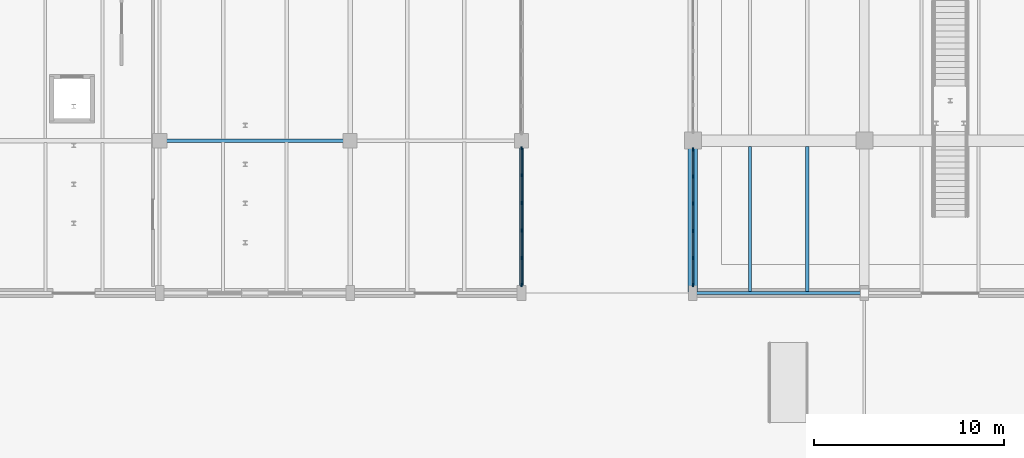
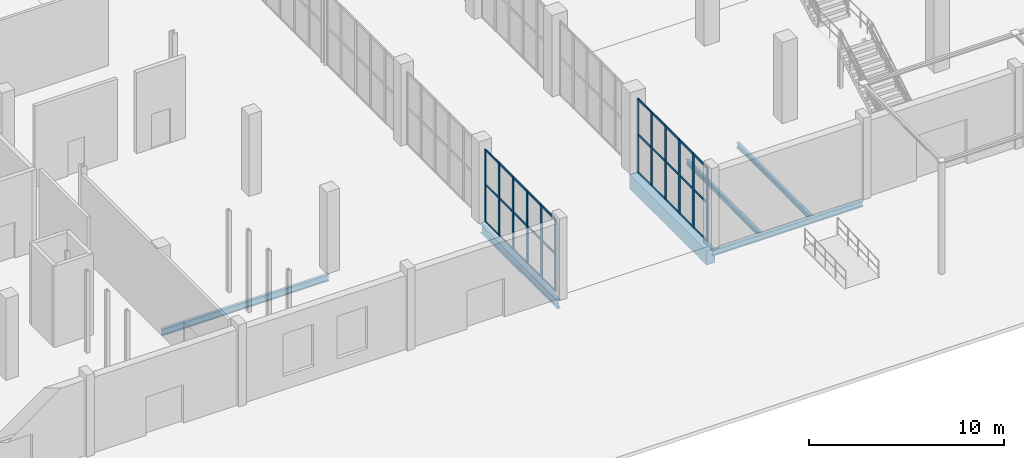
# One storey, part 30 of 103: 42 members, 6 beams, 2 elements without a shape of their own.
"""IFC4 building model written with IfcOpenShell, lengths in metres."""

from ifc_helpers import new_model, si_unit, direction, frame, origin, origin_2d, place, context, subcontext, project, spatial, rectangle, i_section, extrude, material, layer, layer_set, material_profile, profile_set, type_object, element, aggregate, save


model = new_model("IFC4")

# Units and contexts
model_context = context("Model", 3, precision=1e-05, world=origin(), true_north=direction((0.0, 1.0)))
body_context = subcontext(model_context, "Body", "Model", "MODEL_VIEW")
ifc_project = project(units=[si_unit("LENGTHUNIT", "METRE"), si_unit("AREAUNIT", "SQUARE_METRE"), si_unit("VOLUMEUNIT", "CUBIC_METRE"), si_unit("PLANEANGLEUNIT", "RADIAN"), si_unit("MASSUNIT", "GRAM", prefix="KILO")], contexts=[model_context])

# Site, building, storey
site_placement = place(None, origin())
site = spatial("IfcSite", under=ifc_project, at=site_placement, CompositionType="ELEMENT")
building_placement = place(site_placement, origin())
building = spatial("IfcBuilding", under=site, at=building_placement, Name="Marnock Terrace Opera House", CompositionType="ELEMENT")
storey_placement = place(building_placement, origin())
storey = spatial("IfcBuildingStorey", under=building, at=storey_placement, Name="L00", CompositionType="ELEMENT", Elevation=0.0)

# Beams
ifc_material_1 = material(Name="Concrete N40 (f'c = 40 MPa)", Category="concrete")
ifc_material_profile_1 = material_profile(ifc_material_1, rectangle(XDim=0.5, YDim=0.89990234375, at=origin_2d()))
ifc_profile_set_1 = profile_set([ifc_material_profile_1], Name="Concrete N40 (f'c = 40 MPa)")
beam_type_1 = type_object("IfcBeamType", Name="BM-B1-RC500", PredefinedType="BEAM", material=ifc_profile_set_1)
beam_1_placement = place(storey_placement, frame((55.0, 8.050048828125, -0.75), z_axis=(0.0, 1.0, 0.0), x_axis=(-1.0, 0.0, 0.0)))
element("IfcBeam", 1, at=beam_1_placement, inside=storey, type_object=beam_type_1, Name="L00 girder (X=55.0, 8.0..16.0)", PredefinedType="BEAM", context=body_context, shape_type="SweptSolid", body=[
    extrude(rectangle(XDim=0.5, YDim=0.89990234375, at=origin_2d()), origin(), (0.0, 0.0, 1.0), 7.89990234375),
])
ifc_material_2 = material(Name="Steel Grade 350 (AS/NZS 3679.1)", Category="steel")
ifc_material_profile_2 = material_profile(ifc_material_2, i_section(OverallWidth=0.177978515625, OverallDepth=0.402587890625, WebThickness=0.007568359375, FlangeThickness=0.010986328125, FilletRadius=0.011474609375, at=origin_2d()))
ifc_profile_set_2 = profile_set([ifc_material_profile_2], Name="Steel Grade 350 (AS/NZS 3679.1)")
beam_type_2 = type_object("IfcBeamType", Name="BM-GIRD-410", PredefinedType="BEAM", material=ifc_profile_set_2)
beam_2_placement = place(storey_placement, frame((27.050048828125, 16.0, -0.501220703125), z_axis=(1.0, 0.0, 0.0), x_axis=(0.0, 1.0, 0.0)))
element("IfcBeam", 2, at=beam_2_placement, inside=storey, type_object=beam_type_2, Name="L00 girder (27.0..37.0, Y=16.0)", PredefinedType="BEAM", context=body_context, shape_type="SweptSolid", body=[
    extrude(i_section(OverallWidth=0.177978515625, OverallDepth=0.402587890625, WebThickness=0.007568359375, FlangeThickness=0.010986328125, FilletRadius=0.011474609375, at=origin_2d()), origin(), (0.0, 0.0, 1.0), 9.89990234375),
])
ifc_material_profile_3 = material_profile(ifc_material_2, i_section(OverallWidth=0.208984375, OverallDepth=0.528076171875, WebThickness=0.009521484375, FlangeThickness=0.01318359375, FilletRadius=0.013916015625, at=origin_2d()))
ifc_profile_set_3 = profile_set([ifc_material_profile_3], Name="Steel Grade 350 (AS/NZS 3679.1)")
beam_type_3 = type_object("IfcBeamType", Name="BM-GIRD-530B", PredefinedType="BEAM", material=ifc_profile_set_3)
beam_3_placement = place(storey_placement, frame((46.0, 8.050048828125, -0.56396484375), z_axis=(0.0, 1.0, 0.0), x_axis=(-1.0, 0.0, 0.0)))
element("IfcBeam", 3, at=beam_3_placement, inside=storey, type_object=beam_type_3, Name="L00 girder (X=46.0, 8.0..16.0)", PredefinedType="BEAM", context=body_context, shape_type="SweptSolid", body=[
    extrude(i_section(OverallWidth=0.208984375, OverallDepth=0.528076171875, WebThickness=0.009521484375, FlangeThickness=0.01318359375, FilletRadius=0.013916015625, at=origin_2d()), origin(), (0.0, 0.0, 1.0), 7.89990234375),
])
ifc_material_profile_4 = material_profile(ifc_material_2, i_section(OverallWidth=0.166015625, OverallDepth=0.30712890625, WebThickness=0.006591796875, FlangeThickness=0.01171875, FilletRadius=0.011474609375, at=origin_2d()))
ifc_profile_set_4 = profile_set([ifc_material_profile_4], Name="Steel Grade 350 (AS/NZS 3679.1)")
beam_type_4 = type_object("IfcBeamType", Name="BM-JOIST-310A", PredefinedType="JOIST", material=ifc_profile_set_4)
for number, where, z_axis, x_axis, name in (
    (4, (58.0, 8.0810546875, -0.45361328125), (0.0, 1.0, 0.0), (-1.0, 0.0, 0.0), "L00 secondary joist 6.1.1"),
    (5, (61.0, 8.0810546875, -0.45361328125), (0.0, 1.0, 0.0), (-1.0, 0.0, 0.0), "L00 secondary joist 6.1.2"),
):
    element("IfcBeam", number, at=place(storey_placement, frame(where, z_axis=z_axis, x_axis=x_axis)), inside=storey, type_object=beam_type_4, Name=name, PredefinedType="JOIST", context=body_context, shape_type="SweptSolid", body=[
        extrude(i_section(OverallWidth=0.166015625, OverallDepth=0.30712890625, WebThickness=0.006591796875, FlangeThickness=0.01171875, FilletRadius=0.011474609375, at=origin_2d()), origin(), (0.0, 0.0, 1.0), 7.6240234375),
    ])
ifc_material_profile_5 = material_profile(ifc_material_2, i_section(OverallWidth=0.172119140625, OverallDepth=0.358642578125, WebThickness=0.008056640625, FlangeThickness=0.012939453125, FilletRadius=0.011474609375, at=origin_2d()))
ifc_profile_set_5 = profile_set([ifc_material_profile_5], Name="Steel Grade 350 (AS/NZS 3679.1)")
beam_type_5 = type_object("IfcBeamType", Name="BM-SPAN-360", PredefinedType="SPANDREL", material=ifc_profile_set_5)
beam_4_placement = place(storey_placement, frame((55.050048828125, 8.0, -0.479248046875), z_axis=(1.0, 0.0, 0.0), x_axis=(0.0, 1.0, 0.0)))
element("IfcBeam", 6, at=beam_4_placement, inside=storey, type_object=beam_type_5, Name="L00 girder (55.0..64.0, Y=8.0)", PredefinedType="SPANDREL", context=body_context, shape_type="SweptSolid", body=[
    extrude(i_section(OverallWidth=0.172119140625, OverallDepth=0.358642578125, WebThickness=0.008056640625, FlangeThickness=0.012939453125, FilletRadius=0.011474609375, at=origin_2d()), origin(), (0.0, 0.0, 1.0), 8.89990234375),
])

# Curtain wall, members
ifc_material_3 = material(Name="Anodised architectural bronze aluminium framing", Category="aluminium")
ifc_layer_1 = layer(ifc_material_3, 0.159912109375)
ifc_layer_set_1 = layer_set([ifc_layer_1], Name="Anodised architectural bronze aluminium framing")
curtain_wall_type_1 = type_object("IfcCurtainWallType", Name="CW-FOYER-80x51", PredefinedType="NOTDEFINED", material=ifc_layer_set_1)
curtain_wall_1_placement = place(storey_placement, origin())
curtain_wall_1 = element("IfcCurtainWall", 7, at=curtain_wall_1_placement, inside=storey, type_object=curtain_wall_type_1, Name="L00 glazed Beaux-Arts colonnade curtain wall CW-V1W-L00-01", PredefinedType="NOTDEFINED")
ifc_material_profile_6 = material_profile(ifc_material_3, rectangle(XDim=0.06494140625, YDim=0.179931640625, at=origin_2d()))
ifc_profile_set_6 = profile_set([ifc_material_profile_6], Name="Anodised architectural bronze aluminium framing")
member_type_1 = type_object("IfcMemberType", Name="CWM-65x180", PredefinedType="MULLION", material=ifc_profile_set_6)
member_1_placement = place(storey_placement, frame((55.0, 8.426025390625, 0.0), z_axis=(0.0, 0.0, 1.0), x_axis=(-1.0, 0.0, 0.0)))
member_1 = element("IfcMember", 8, at=member_1_placement, type_object=member_type_1, Name="CW-73 mullion 1", PredefinedType="MULLION", context=body_context, shape_type="SweptSolid", body=[
    extrude(rectangle(XDim=0.06494140625, YDim=0.179931640625, at=origin_2d()), origin(), (0.0, 0.0, 1.0), 4.632568359375),
])
member_2_placement = place(storey_placement, frame((55.0, 9.82763671875, 0.0), z_axis=(0.0, 0.0, 1.0), x_axis=(-1.0, 0.0, 0.0)))
member_2 = element("IfcMember", 9, at=member_2_placement, type_object=member_type_1, Name="CW-73 mullion 2", PredefinedType="MULLION", context=body_context, shape_type="SweptSolid", body=[
    extrude(rectangle(XDim=0.06494140625, YDim=0.179931640625, at=origin_2d()), origin(), (0.0, 0.0, 1.0), 4.632568359375),
])
member_3_placement = place(storey_placement, frame((55.0, 11.25927734375, 0.0), z_axis=(0.0, 0.0, 1.0), x_axis=(-1.0, 0.0, 0.0)))
member_3 = element("IfcMember", 10, at=member_3_placement, type_object=member_type_1, Name="CW-73 mullion 3", PredefinedType="MULLION", context=body_context, shape_type="SweptSolid", body=[
    extrude(rectangle(XDim=0.06494140625, YDim=0.179931640625, at=origin_2d()), origin(), (0.0, 0.0, 1.0), 4.632568359375),
])
member_4_placement = place(storey_placement, frame((55.0, 12.69091796875, 0.0), z_axis=(0.0, 0.0, 1.0), x_axis=(-1.0, 0.0, 0.0)))
member_4 = element("IfcMember", 11, at=member_4_placement, type_object=member_type_1, Name="CW-73 mullion 4", PredefinedType="MULLION", context=body_context, shape_type="SweptSolid", body=[
    extrude(rectangle(XDim=0.06494140625, YDim=0.179931640625, at=origin_2d()), origin(), (0.0, 0.0, 1.0), 4.632568359375),
])
member_5_placement = place(storey_placement, frame((55.0, 14.122314453125, 0.0), z_axis=(0.0, 0.0, 1.0), x_axis=(-1.0, 0.0, 0.0)))
member_5 = element("IfcMember", 12, at=member_5_placement, type_object=member_type_1, Name="CW-73 mullion 5", PredefinedType="MULLION", context=body_context, shape_type="SweptSolid", body=[
    extrude(rectangle(XDim=0.06494140625, YDim=0.179931640625, at=origin_2d()), origin(), (0.0, 0.0, 1.0), 4.632568359375),
])
member_6_placement = place(storey_placement, frame((55.0, 15.52392578125, 0.0), z_axis=(0.0, 0.0, 1.0), x_axis=(-1.0, 0.0, 0.0)))
member_6 = element("IfcMember", 13, at=member_6_placement, type_object=member_type_1, Name="CW-73 mullion 6", PredefinedType="MULLION", context=body_context, shape_type="SweptSolid", body=[
    extrude(rectangle(XDim=0.06494140625, YDim=0.179931640625, at=origin_2d()), origin(), (0.0, 0.0, 1.0), 4.632568359375),
])

ifc_layer_2 = layer(ifc_material_3, 0.159912109375)
ifc_layer_set_2 = layer_set([ifc_layer_2], Name="Anodised architectural bronze aluminium framing")
curtain_wall_type_2 = type_object("IfcCurtainWallType", Name="CW-COURT-80x51", PredefinedType="NOTDEFINED", material=ifc_layer_set_2)
curtain_wall_2_placement = place(storey_placement, origin())
curtain_wall_2 = element("IfcCurtainWall", 14, at=curtain_wall_2_placement, inside=storey, type_object=curtain_wall_type_2, Name="L00 glazed Beaux-Arts colonnade curtain wall CW-V3E-L00-01", PredefinedType="NOTDEFINED")
member_7_placement = place(storey_placement, frame((46.0, 8.426025390625, 0.0), z_axis=(0.0, 0.0, 1.0), x_axis=(-1.0, 0.0, 0.0)))
member_7 = element("IfcMember", 15, at=member_7_placement, type_object=member_type_1, Name="CW-114 mullion 1", PredefinedType="MULLION", context=body_context, shape_type="SweptSolid", body=[
    extrude(rectangle(XDim=0.06494140625, YDim=0.179931640625, at=origin_2d()), origin(), (0.0, 0.0, 1.0), 4.56201171875),
])
member_8_placement = place(storey_placement, frame((46.0, 9.842529296875, 0.0), z_axis=(0.0, 0.0, 1.0), x_axis=(-1.0, 0.0, 0.0)))
member_8 = element("IfcMember", 16, at=member_8_placement, type_object=member_type_1, Name="CW-114 mullion 2", PredefinedType="MULLION", context=body_context, shape_type="SweptSolid", body=[
    extrude(rectangle(XDim=0.06494140625, YDim=0.179931640625, at=origin_2d()), origin(), (0.0, 0.0, 1.0), 4.56201171875),
])
member_9_placement = place(storey_placement, frame((46.0, 11.289306640625, 0.0), z_axis=(0.0, 0.0, 1.0), x_axis=(-1.0, 0.0, 0.0)))
member_9 = element("IfcMember", 17, at=member_9_placement, type_object=member_type_1, Name="CW-114 mullion 3", PredefinedType="MULLION", context=body_context, shape_type="SweptSolid", body=[
    extrude(rectangle(XDim=0.06494140625, YDim=0.179931640625, at=origin_2d()), origin(), (0.0, 0.0, 1.0), 4.56201171875),
])
member_10_placement = place(storey_placement, frame((46.0, 12.73583984375, 0.0), z_axis=(0.0, 0.0, 1.0), x_axis=(-1.0, 0.0, 0.0)))
member_10 = element("IfcMember", 18, at=member_10_placement, type_object=member_type_1, Name="CW-114 mullion 4", PredefinedType="MULLION", context=body_context, shape_type="SweptSolid", body=[
    extrude(rectangle(XDim=0.06494140625, YDim=0.179931640625, at=origin_2d()), origin(), (0.0, 0.0, 1.0), 4.56201171875),
])
member_11_placement = place(storey_placement, frame((46.0, 14.182373046875, 0.0), z_axis=(0.0, 0.0, 1.0), x_axis=(-1.0, 0.0, 0.0)))
member_11 = element("IfcMember", 19, at=member_11_placement, type_object=member_type_1, Name="CW-114 mullion 5", PredefinedType="MULLION", context=body_context, shape_type="SweptSolid", body=[
    extrude(rectangle(XDim=0.06494140625, YDim=0.179931640625, at=origin_2d()), origin(), (0.0, 0.0, 1.0), 4.56201171875),
])
member_12_placement = place(storey_placement, frame((46.0, 15.59912109375, 0.0), z_axis=(0.0, 0.0, 1.0), x_axis=(-1.0, 0.0, 0.0)))
member_12 = element("IfcMember", 20, at=member_12_placement, type_object=member_type_1, Name="CW-114 mullion 6", PredefinedType="MULLION", context=body_context, shape_type="SweptSolid", body=[
    extrude(rectangle(XDim=0.06494140625, YDim=0.179931640625, at=origin_2d()), origin(), (0.0, 0.0, 1.0), 4.56201171875),
])

# Member
ifc_material_profile_7 = material_profile(ifc_material_3, rectangle(XDim=0.06005859375, YDim=0.1298828125, at=origin_2d()))
ifc_profile_set_7 = profile_set([ifc_material_profile_7], Name="Anodised architectural bronze aluminium framing")
member_type_2 = type_object("IfcMemberType", Name="CWT-60x130", PredefinedType="USERDEFINED", material=ifc_profile_set_7)
member_13_placement = place(storey_placement, frame((55.0, 8.4560546875, 0.030029296875), z_axis=(0.0, 1.0, 0.0), x_axis=(-1.0, 0.0, 0.0)))
member_13 = element("IfcMember", 21, at=member_13_placement, type_object=member_type_2, Name="CW-73 transom 1.1", ObjectType="TRANSOM", PredefinedType="USERDEFINED", context=body_context, shape_type="SweptSolid", body=[
    extrude(rectangle(XDim=0.06005859375, YDim=0.1298828125, at=origin_2d()), origin(), (0.0, 0.0, 1.0), 1.341552734375),
])

member_14_placement = place(storey_placement, frame((55.0, 8.4560546875, 2.408935546875), z_axis=(0.0, 1.0, 0.0), x_axis=(-1.0, 0.0, 0.0)))
member_14 = element("IfcMember", 22, at=member_14_placement, type_object=member_type_2, Name="CW-73 transom 1.2", ObjectType="TRANSOM", PredefinedType="USERDEFINED", context=body_context, shape_type="SweptSolid", body=[
    extrude(rectangle(XDim=0.06005859375, YDim=0.1298828125, at=origin_2d()), origin(), (0.0, 0.0, 1.0), 1.341552734375),
])

member_15_placement = place(storey_placement, frame((55.0, 8.4560546875, 4.6025390625), z_axis=(0.0, 1.0, 0.0), x_axis=(-1.0, 0.0, 0.0)))
member_15 = element("IfcMember", 23, at=member_15_placement, type_object=member_type_2, Name="CW-73 transom 1.3", ObjectType="TRANSOM", PredefinedType="USERDEFINED", context=body_context, shape_type="SweptSolid", body=[
    extrude(rectangle(XDim=0.06005859375, YDim=0.1298828125, at=origin_2d()), origin(), (0.0, 0.0, 1.0), 1.341552734375),
])

member_16_placement = place(storey_placement, frame((55.0, 9.857666015625, 0.030029296875), z_axis=(0.0, 1.0, 0.0), x_axis=(-1.0, 0.0, 0.0)))
member_16 = element("IfcMember", 24, at=member_16_placement, type_object=member_type_2, Name="CW-73 transom 2.1", ObjectType="TRANSOM", PredefinedType="USERDEFINED", context=body_context, shape_type="SweptSolid", body=[
    extrude(rectangle(XDim=0.06005859375, YDim=0.1298828125, at=origin_2d()), origin(), (0.0, 0.0, 1.0), 1.37158203125),
])

member_17_placement = place(storey_placement, frame((55.0, 9.857666015625, 2.408935546875), z_axis=(0.0, 1.0, 0.0), x_axis=(-1.0, 0.0, 0.0)))
member_17 = element("IfcMember", 25, at=member_17_placement, type_object=member_type_2, Name="CW-73 transom 2.2", ObjectType="TRANSOM", PredefinedType="USERDEFINED", context=body_context, shape_type="SweptSolid", body=[
    extrude(rectangle(XDim=0.06005859375, YDim=0.1298828125, at=origin_2d()), origin(), (0.0, 0.0, 1.0), 1.37158203125),
])

member_18_placement = place(storey_placement, frame((55.0, 9.857666015625, 4.6025390625), z_axis=(0.0, 1.0, 0.0), x_axis=(-1.0, 0.0, 0.0)))
member_18 = element("IfcMember", 26, at=member_18_placement, type_object=member_type_2, Name="CW-73 transom 2.3", ObjectType="TRANSOM", PredefinedType="USERDEFINED", context=body_context, shape_type="SweptSolid", body=[
    extrude(rectangle(XDim=0.06005859375, YDim=0.1298828125, at=origin_2d()), origin(), (0.0, 0.0, 1.0), 1.37158203125),
])

member_19_placement = place(storey_placement, frame((55.0, 11.289306640625, 0.030029296875), z_axis=(0.0, 1.0, 0.0), x_axis=(-1.0, 0.0, 0.0)))
member_19 = element("IfcMember", 27, at=member_19_placement, type_object=member_type_2, Name="CW-73 transom 3.1", ObjectType="TRANSOM", PredefinedType="USERDEFINED", context=body_context, shape_type="SweptSolid", body=[
    extrude(rectangle(XDim=0.06005859375, YDim=0.1298828125, at=origin_2d()), origin(), (0.0, 0.0, 1.0), 1.37158203125),
])

member_20_placement = place(storey_placement, frame((55.0, 11.289306640625, 2.408935546875), z_axis=(0.0, 1.0, 0.0), x_axis=(-1.0, 0.0, 0.0)))
member_20 = element("IfcMember", 28, at=member_20_placement, type_object=member_type_2, Name="CW-73 transom 3.2", ObjectType="TRANSOM", PredefinedType="USERDEFINED", context=body_context, shape_type="SweptSolid", body=[
    extrude(rectangle(XDim=0.06005859375, YDim=0.1298828125, at=origin_2d()), origin(), (0.0, 0.0, 1.0), 1.37158203125),
])

member_21_placement = place(storey_placement, frame((55.0, 11.289306640625, 4.6025390625), z_axis=(0.0, 1.0, 0.0), x_axis=(-1.0, 0.0, 0.0)))
member_21 = element("IfcMember", 29, at=member_21_placement, type_object=member_type_2, Name="CW-73 transom 3.3", ObjectType="TRANSOM", PredefinedType="USERDEFINED", context=body_context, shape_type="SweptSolid", body=[
    extrude(rectangle(XDim=0.06005859375, YDim=0.1298828125, at=origin_2d()), origin(), (0.0, 0.0, 1.0), 1.37158203125),
])

member_22_placement = place(storey_placement, frame((55.0, 12.720703125, 0.030029296875), z_axis=(0.0, 1.0, 0.0), x_axis=(-1.0, 0.0, 0.0)))
member_22 = element("IfcMember", 30, at=member_22_placement, type_object=member_type_2, Name="CW-73 transom 4.1", ObjectType="TRANSOM", PredefinedType="USERDEFINED", context=body_context, shape_type="SweptSolid", body=[
    extrude(rectangle(XDim=0.06005859375, YDim=0.1298828125, at=origin_2d()), origin(), (0.0, 0.0, 1.0), 1.37158203125),
])

member_23_placement = place(storey_placement, frame((55.0, 12.720703125, 2.408935546875), z_axis=(0.0, 1.0, 0.0), x_axis=(-1.0, 0.0, 0.0)))
member_23 = element("IfcMember", 31, at=member_23_placement, type_object=member_type_2, Name="CW-73 transom 4.2", ObjectType="TRANSOM", PredefinedType="USERDEFINED", context=body_context, shape_type="SweptSolid", body=[
    extrude(rectangle(XDim=0.06005859375, YDim=0.1298828125, at=origin_2d()), origin(), (0.0, 0.0, 1.0), 1.37158203125),
])

member_24_placement = place(storey_placement, frame((55.0, 12.720703125, 4.6025390625), z_axis=(0.0, 1.0, 0.0), x_axis=(-1.0, 0.0, 0.0)))
member_24 = element("IfcMember", 32, at=member_24_placement, type_object=member_type_2, Name="CW-73 transom 4.3", ObjectType="TRANSOM", PredefinedType="USERDEFINED", context=body_context, shape_type="SweptSolid", body=[
    extrude(rectangle(XDim=0.06005859375, YDim=0.1298828125, at=origin_2d()), origin(), (0.0, 0.0, 1.0), 1.37158203125),
])

member_25_placement = place(storey_placement, frame((55.0, 14.15234375, 0.030029296875), z_axis=(0.0, 1.0, 0.0), x_axis=(-1.0, 0.0, 0.0)))
member_25 = element("IfcMember", 33, at=member_25_placement, type_object=member_type_2, Name="CW-73 transom 5.1", ObjectType="TRANSOM", PredefinedType="USERDEFINED", context=body_context, shape_type="SweptSolid", body=[
    extrude(rectangle(XDim=0.06005859375, YDim=0.1298828125, at=origin_2d()), origin(), (0.0, 0.0, 1.0), 1.341552734375),
])

member_26_placement = place(storey_placement, frame((55.0, 14.15234375, 2.408935546875), z_axis=(0.0, 1.0, 0.0), x_axis=(-1.0, 0.0, 0.0)))
member_26 = element("IfcMember", 34, at=member_26_placement, type_object=member_type_2, Name="CW-73 transom 5.2", ObjectType="TRANSOM", PredefinedType="USERDEFINED", context=body_context, shape_type="SweptSolid", body=[
    extrude(rectangle(XDim=0.06005859375, YDim=0.1298828125, at=origin_2d()), origin(), (0.0, 0.0, 1.0), 1.341552734375),
])

member_27_placement = place(storey_placement, frame((55.0, 14.15234375, 4.6025390625), z_axis=(0.0, 1.0, 0.0), x_axis=(-1.0, 0.0, 0.0)))
member_27 = element("IfcMember", 35, at=member_27_placement, type_object=member_type_2, Name="CW-73 transom 5.3", ObjectType="TRANSOM", PredefinedType="USERDEFINED", context=body_context, shape_type="SweptSolid", body=[
    extrude(rectangle(XDim=0.06005859375, YDim=0.1298828125, at=origin_2d()), origin(), (0.0, 0.0, 1.0), 1.341552734375),
])

aggregate(curtain_wall_1, [member_1, member_2, member_3, member_4, member_5, member_6, member_13, member_14, member_15, member_16, member_17, member_18, member_19, member_20, member_21, member_22, member_23, member_24, member_25, member_26, member_27])

member_28_placement = place(storey_placement, frame((46.0, 8.4560546875, 0.030029296875), z_axis=(0.0, 1.0, 0.0), x_axis=(-1.0, 0.0, 0.0)))
member_28 = element("IfcMember", 36, at=member_28_placement, type_object=member_type_2, Name="CW-114 transom 1.1", ObjectType="TRANSOM", PredefinedType="USERDEFINED", context=body_context, shape_type="SweptSolid", body=[
    extrude(rectangle(XDim=0.06005859375, YDim=0.1298828125, at=origin_2d()), origin(), (0.0, 0.0, 1.0), 1.3564453125),
])

member_29_placement = place(storey_placement, frame((46.0, 8.4560546875, 2.372314453125), z_axis=(0.0, 1.0, 0.0), x_axis=(-1.0, 0.0, 0.0)))
member_29 = element("IfcMember", 37, at=member_29_placement, type_object=member_type_2, Name="CW-114 transom 1.2", ObjectType="TRANSOM", PredefinedType="USERDEFINED", context=body_context, shape_type="SweptSolid", body=[
    extrude(rectangle(XDim=0.06005859375, YDim=0.1298828125, at=origin_2d()), origin(), (0.0, 0.0, 1.0), 1.3564453125),
])

member_30_placement = place(storey_placement, frame((46.0, 8.4560546875, 4.531982421875), z_axis=(0.0, 1.0, 0.0), x_axis=(-1.0, 0.0, 0.0)))
member_30 = element("IfcMember", 38, at=member_30_placement, type_object=member_type_2, Name="CW-114 transom 1.3", ObjectType="TRANSOM", PredefinedType="USERDEFINED", context=body_context, shape_type="SweptSolid", body=[
    extrude(rectangle(XDim=0.06005859375, YDim=0.1298828125, at=origin_2d()), origin(), (0.0, 0.0, 1.0), 1.3564453125),
])

member_31_placement = place(storey_placement, frame((46.0, 9.87255859375, 0.030029296875), z_axis=(0.0, 1.0, 0.0), x_axis=(-1.0, 0.0, 0.0)))
member_31 = element("IfcMember", 39, at=member_31_placement, type_object=member_type_2, Name="CW-114 transom 2.1", ObjectType="TRANSOM", PredefinedType="USERDEFINED", context=body_context, shape_type="SweptSolid", body=[
    extrude(rectangle(XDim=0.06005859375, YDim=0.1298828125, at=origin_2d()), origin(), (0.0, 0.0, 1.0), 1.38671875),
])

member_32_placement = place(storey_placement, frame((46.0, 9.87255859375, 2.372314453125), z_axis=(0.0, 1.0, 0.0), x_axis=(-1.0, 0.0, 0.0)))
member_32 = element("IfcMember", 40, at=member_32_placement, type_object=member_type_2, Name="CW-114 transom 2.2", ObjectType="TRANSOM", PredefinedType="USERDEFINED", context=body_context, shape_type="SweptSolid", body=[
    extrude(rectangle(XDim=0.06005859375, YDim=0.1298828125, at=origin_2d()), origin(), (0.0, 0.0, 1.0), 1.38671875),
])

member_33_placement = place(storey_placement, frame((46.0, 9.87255859375, 4.531982421875), z_axis=(0.0, 1.0, 0.0), x_axis=(-1.0, 0.0, 0.0)))
member_33 = element("IfcMember", 41, at=member_33_placement, type_object=member_type_2, Name="CW-114 transom 2.3", ObjectType="TRANSOM", PredefinedType="USERDEFINED", context=body_context, shape_type="SweptSolid", body=[
    extrude(rectangle(XDim=0.06005859375, YDim=0.1298828125, at=origin_2d()), origin(), (0.0, 0.0, 1.0), 1.38671875),
])

member_34_placement = place(storey_placement, frame((46.0, 11.319091796875, 0.030029296875), z_axis=(0.0, 1.0, 0.0), x_axis=(-1.0, 0.0, 0.0)))
member_34 = element("IfcMember", 42, at=member_34_placement, type_object=member_type_2, Name="CW-114 transom 3.1", ObjectType="TRANSOM", PredefinedType="USERDEFINED", context=body_context, shape_type="SweptSolid", body=[
    extrude(rectangle(XDim=0.06005859375, YDim=0.1298828125, at=origin_2d()), origin(), (0.0, 0.0, 1.0), 1.38671875),
])

member_35_placement = place(storey_placement, frame((46.0, 11.319091796875, 2.372314453125), z_axis=(0.0, 1.0, 0.0), x_axis=(-1.0, 0.0, 0.0)))
member_35 = element("IfcMember", 43, at=member_35_placement, type_object=member_type_2, Name="CW-114 transom 3.2", ObjectType="TRANSOM", PredefinedType="USERDEFINED", context=body_context, shape_type="SweptSolid", body=[
    extrude(rectangle(XDim=0.06005859375, YDim=0.1298828125, at=origin_2d()), origin(), (0.0, 0.0, 1.0), 1.38671875),
])

member_36_placement = place(storey_placement, frame((46.0, 11.319091796875, 4.531982421875), z_axis=(0.0, 1.0, 0.0), x_axis=(-1.0, 0.0, 0.0)))
member_36 = element("IfcMember", 44, at=member_36_placement, type_object=member_type_2, Name="CW-114 transom 3.3", ObjectType="TRANSOM", PredefinedType="USERDEFINED", context=body_context, shape_type="SweptSolid", body=[
    extrude(rectangle(XDim=0.06005859375, YDim=0.1298828125, at=origin_2d()), origin(), (0.0, 0.0, 1.0), 1.38671875),
])

member_37_placement = place(storey_placement, frame((46.0, 12.765869140625, 0.030029296875), z_axis=(0.0, 1.0, 0.0), x_axis=(-1.0, 0.0, 0.0)))
member_37 = element("IfcMember", 45, at=member_37_placement, type_object=member_type_2, Name="CW-114 transom 4.1", ObjectType="TRANSOM", PredefinedType="USERDEFINED", context=body_context, shape_type="SweptSolid", body=[
    extrude(rectangle(XDim=0.06005859375, YDim=0.1298828125, at=origin_2d()), origin(), (0.0, 0.0, 1.0), 1.386474609375),
])

member_38_placement = place(storey_placement, frame((46.0, 12.765869140625, 2.372314453125), z_axis=(0.0, 1.0, 0.0), x_axis=(-1.0, 0.0, 0.0)))
member_38 = element("IfcMember", 46, at=member_38_placement, type_object=member_type_2, Name="CW-114 transom 4.2", ObjectType="TRANSOM", PredefinedType="USERDEFINED", context=body_context, shape_type="SweptSolid", body=[
    extrude(rectangle(XDim=0.06005859375, YDim=0.1298828125, at=origin_2d()), origin(), (0.0, 0.0, 1.0), 1.386474609375),
])

member_39_placement = place(storey_placement, frame((46.0, 12.765869140625, 4.531982421875), z_axis=(0.0, 1.0, 0.0), x_axis=(-1.0, 0.0, 0.0)))
member_39 = element("IfcMember", 47, at=member_39_placement, type_object=member_type_2, Name="CW-114 transom 4.3", ObjectType="TRANSOM", PredefinedType="USERDEFINED", context=body_context, shape_type="SweptSolid", body=[
    extrude(rectangle(XDim=0.06005859375, YDim=0.1298828125, at=origin_2d()), origin(), (0.0, 0.0, 1.0), 1.386474609375),
])

member_40_placement = place(storey_placement, frame((46.0, 14.21240234375, 0.030029296875), z_axis=(0.0, 1.0, 0.0), x_axis=(-1.0, 0.0, 0.0)))
member_40 = element("IfcMember", 48, at=member_40_placement, type_object=member_type_2, Name="CW-114 transom 5.1", ObjectType="TRANSOM", PredefinedType="USERDEFINED", context=body_context, shape_type="SweptSolid", body=[
    extrude(rectangle(XDim=0.06005859375, YDim=0.1298828125, at=origin_2d()), origin(), (0.0, 0.0, 1.0), 1.356689453125),
])

member_41_placement = place(storey_placement, frame((46.0, 14.21240234375, 2.372314453125), z_axis=(0.0, 1.0, 0.0), x_axis=(-1.0, 0.0, 0.0)))
member_41 = element("IfcMember", 49, at=member_41_placement, type_object=member_type_2, Name="CW-114 transom 5.2", ObjectType="TRANSOM", PredefinedType="USERDEFINED", context=body_context, shape_type="SweptSolid", body=[
    extrude(rectangle(XDim=0.06005859375, YDim=0.1298828125, at=origin_2d()), origin(), (0.0, 0.0, 1.0), 1.356689453125),
])

member_42_placement = place(storey_placement, frame((46.0, 14.21240234375, 4.531982421875), z_axis=(0.0, 1.0, 0.0), x_axis=(-1.0, 0.0, 0.0)))
member_42 = element("IfcMember", 50, at=member_42_placement, type_object=member_type_2, Name="CW-114 transom 5.3", ObjectType="TRANSOM", PredefinedType="USERDEFINED", context=body_context, shape_type="SweptSolid", body=[
    extrude(rectangle(XDim=0.06005859375, YDim=0.1298828125, at=origin_2d()), origin(), (0.0, 0.0, 1.0), 1.356689453125),
])

aggregate(curtain_wall_2, [member_7, member_8, member_9, member_10, member_11, member_12, member_28, member_29, member_30, member_31, member_32, member_33, member_34, member_35, member_36, member_37, member_38, member_39, member_40, member_41, member_42])

save(model, "model.ifc")
